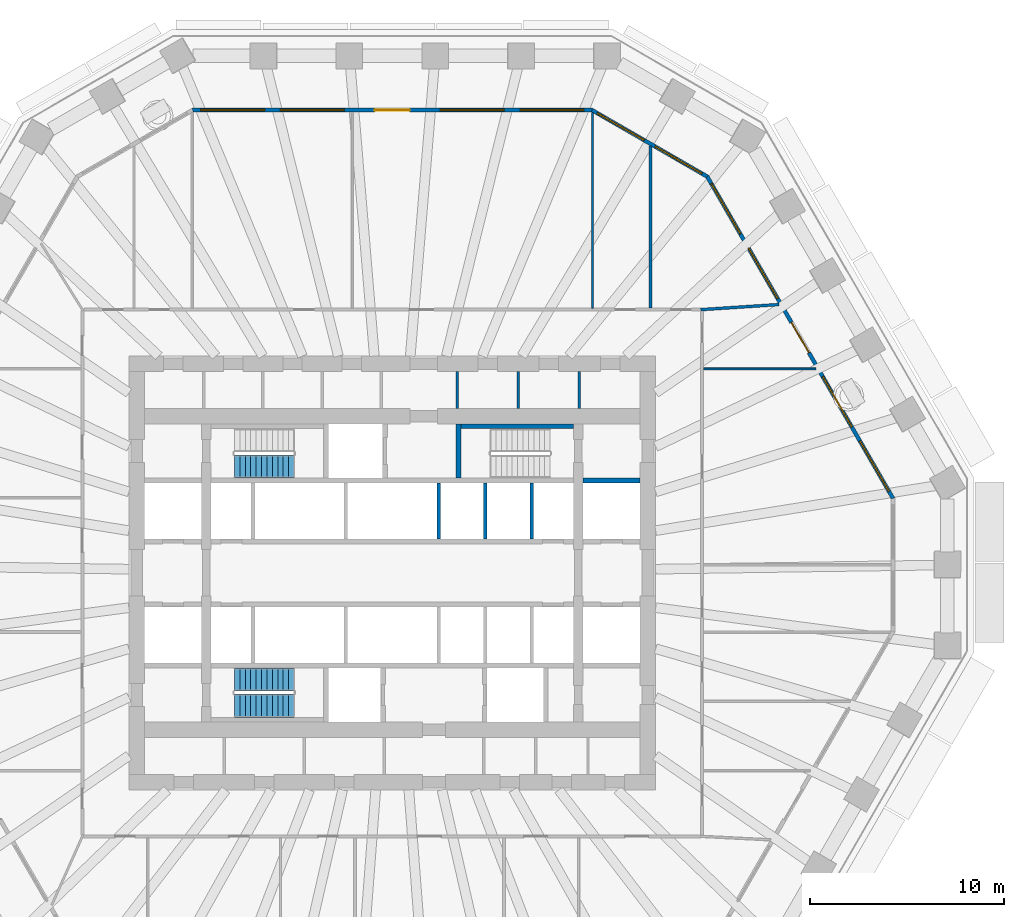
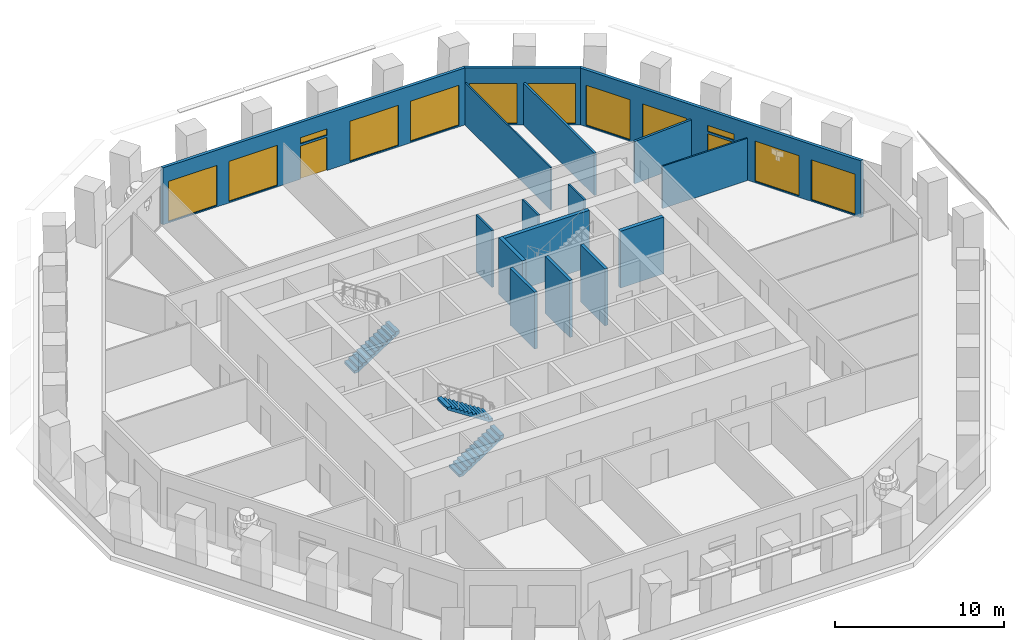
# One storey, part 8 of 13: 16 walls, 12 windows, 3 stair flights, 2 doors, 14 openings, 2 elements without a shape of their own.
"""IFC4 building model written with IfcOpenShell, lengths in metres."""

import ifcopenshell
import ifcopenshell.guid

model = None  # the IFC model being written
_history = None  # IfcOwnerHistory: only IFC2X3 demands one
_inside = {}  # id of a spatial element -> (the spatial element, [elements in it])
_under = {}  # id of a project, library or spatial element -> (it, [spatial elements below it])
_declared = {}  # id of a project -> (the project, [libraries it declares])
_typed = {}  # id of a type object -> (the type object, [elements of that type])
_made_of = {}  # id of a material, layer set ... -> (it, [elements and type objects made of it])


def new_model(schema):
    """Start an empty IFC model of exactly this schema.

    Asked for "IFC4X3", IfcOpenShell would pick the latest addendum, in which some entities
    have other attributes; the version numbers below select the first issue.
    IFC2X3 requires an IfcOwnerHistory on every rooted entity: one is made here for all.
    """
    global model, _history
    if schema == "IFC4X3":
        model = ifcopenshell.file(schema_version=(4, 3, 0, 0))
    else:
        model = ifcopenshell.file(schema=schema)
    _inside.clear()
    _under.clear()
    _declared.clear()
    _typed.clear()
    _made_of.clear()
    _history = None
    if model.schema == "IFC2X3":
        org = make("IfcOrganization", Name="unknown")
        user = make(
            "IfcPersonAndOrganization",
            ThePerson=make("IfcPerson", FamilyName="unknown"),
            TheOrganization=org,
        )
        app = make(
            "IfcApplication",
            ApplicationDeveloper=org,
            Version="unknown",
            ApplicationFullName="unknown",
            ApplicationIdentifier="unknown",
        )
        _history = make(
            "IfcOwnerHistory",
            OwningUser=user,
            OwningApplication=app,
            ChangeAction="ADDED",
            CreationDate=0,
        )
    return model


def make(cls, **values):
    """One entity of the class cls with the attributes given. An attribute that is None is left unset."""
    return model.create_entity(
        cls, **{name: value for name, value in values.items() if value is not None}
    )


def rooted(cls, **values):
    """An entity with a GlobalId (a new one), such as an element, a storey or a relation."""
    return make(cls, GlobalId=ifcopenshell.guid.new(), OwnerHistory=_history, **values)


def si_unit(unit_type, name, prefix=None):
    """IfcSIUnit, for example si_unit("LENGTHUNIT", "METRE", prefix="MILLI")."""
    return make("IfcSIUnit", UnitType=unit_type, Prefix=prefix, Name=name)


def assignment(units):
    """IfcUnitAssignment: the units of a project."""
    return None if units is None else make("IfcUnitAssignment", Units=units)


def point(xyz):
    """IfcCartesianPoint."""
    return None if xyz is None else make("IfcCartesianPoint", Coordinates=xyz)


def direction(xyz):
    """IfcDirection."""
    return None if xyz is None else make("IfcDirection", DirectionRatios=xyz)


def frame(location, z_axis=None, x_axis=None):
    """IfcAxis2Placement3D, a coordinate frame: its origin and axes. An axis left out is left unset."""
    return make(
        "IfcAxis2Placement3D",
        Location=point(location),
        Axis=direction(z_axis),
        RefDirection=direction(x_axis),
    )


def frame_2d(location, x_axis=None):
    """IfcAxis2Placement2D, a coordinate frame in the plane: its origin and x axis."""
    return make(
        "IfcAxis2Placement2D", Location=point(location), RefDirection=direction(x_axis)
    )


def origin():
    """The frame at (0, 0, 0) with its axes left unset."""
    return frame((0.0, 0.0, 0.0))


def place(relative_to, where):
    """IfcLocalPlacement: puts the frame where relative to a parent placement (None: the world)."""
    return make(
        "IfcLocalPlacement", PlacementRelTo=relative_to, RelativePlacement=where
    )


def context(
    kind, dimensions, precision=None, world=None, true_north=None, identifier=None
):
    """IfcGeometricRepresentationContext, for example the 3D "Model" context."""
    return make(
        "IfcGeometricRepresentationContext",
        ContextIdentifier=identifier,
        ContextType=kind,
        CoordinateSpaceDimension=dimensions,
        Precision=precision,
        WorldCoordinateSystem=world,
        TrueNorth=true_north,
    )


def subcontext(parent, identifier, kind, view, scale=None):
    """IfcGeometricRepresentationSubContext, for example "Body" below "Model"."""
    return make(
        "IfcGeometricRepresentationSubContext",
        ContextIdentifier=identifier,
        ContextType=kind,
        ParentContext=parent,
        TargetScale=scale,
        TargetView=view,
    )


def project(units=None, contexts=None):
    """IfcProject with its units and contexts."""
    return rooted(
        "IfcProject",
        Name="project",
        RepresentationContexts=contexts,
        UnitsInContext=assignment(units),
    )


def spatial(cls, under=None, at=None, **own):
    """A site, building, storey or space (cls), placed at a placement, below another one or the project."""
    s = rooted(cls, ObjectPlacement=at, **own)
    if under is not None:
        _under.setdefault(under.id(), (under, []))[1].append(s)
    return s


def polyline(points):
    """IfcPolyline through the points."""
    return make("IfcPolyline", Points=[point(p) for p in points])


def profile(cls, at=None, kind="AREA", **sizes):
    """A parametric profile (cls). Its sizes go by their IFC names, for example OverallWidth=200.0."""
    return make(cls, ProfileType=kind, Position=at, **sizes)


def rectangle(**sizes):
    """IfcRectangleProfileDef."""
    return profile("IfcRectangleProfileDef", **sizes)


def outline(outer, holes=None, kind="AREA"):
    """IfcArbitraryClosedProfileDef: a profile drawn as a closed curve; with holes, ...WithVoids."""
    if holes is None:
        return make("IfcArbitraryClosedProfileDef", ProfileType=kind, OuterCurve=outer)
    return make(
        "IfcArbitraryProfileDefWithVoids",
        ProfileType=kind,
        OuterCurve=outer,
        InnerCurves=holes,
    )


def extrude(swept, where, along, depth):
    """IfcExtrudedAreaSolid: the profile swept, set in the frame where, extruded along a direction by depth."""
    return make(
        "IfcExtrudedAreaSolid",
        SweptArea=swept,
        Position=where,
        ExtrudedDirection=direction(along),
        Depth=depth,
    )


def shape(context_of_items, identifier, shape_type, items):
    """IfcShapeRepresentation: the items that make up one representation, for example the "Body"."""
    return make(
        "IfcShapeRepresentation",
        ContextOfItems=context_of_items,
        RepresentationIdentifier=identifier,
        RepresentationType=shape_type,
        Items=items,
    )


def material(Name=None, Category=None):
    """IfcMaterial."""
    return make("IfcMaterial", Name=Name, Category=Category)


def layer(
    of_material, thickness, ventilated=None, Name=None, Category=None, Priority=None
):
    """IfcMaterialLayer: one layer of a wall or slab, of a material (None: an air gap)."""
    return make(
        "IfcMaterialLayer",
        Material=of_material,
        LayerThickness=thickness,
        IsVentilated=ventilated,
        Name=Name,
        Category=Category,
        Priority=Priority,
    )


def layer_set(layers, Name=None):
    """IfcMaterialLayerSet."""
    return make("IfcMaterialLayerSet", MaterialLayers=layers, LayerSetName=Name)


def made_of(thing, what):
    """Note that an element or type object is made of a material, layer set ...; save() writes the relation."""
    if what is not None:
        _made_of.setdefault(what.id(), (what, []))[1].append(thing)
    return thing


def type_object(cls, material=None, **own):
    """A type object (cls), such as IfcWallType, which elements share."""
    return made_of(rooted(cls, **own), material)


def element(
    cls,
    number,
    at=None,
    inside=None,
    cuts=None,
    type_object=None,
    material=None,
    context=None,
    identifier="Body",
    shape_type=None,
    held_by="IfcProductDefinitionShape",
    body=None,
    shapes=None,
    **own,
):
    """One element of the class cls, such as IfcWall. Its Tag is "e" and its number.

    at: its placement. inside: the storey or other place that contains it. cuts: it is an
    opening in that element (IfcRelVoidsElement). A single representation is given by context,
    identifier, shape_type and body (its items); several are given by shapes. held_by: the class
    of the entity that holds the representations. save() writes the other relations.
    """
    e = rooted(cls, Tag="e%d" % number, ObjectPlacement=at, **own)
    if body is not None:
        shapes = [shape(context, identifier, shape_type, body)]
    if shapes is not None:
        e.Representation = make(held_by, Representations=shapes)
    if inside is not None:
        _inside.setdefault(inside.id(), (inside, []))[1].append(e)
    if cuts is not None:
        rooted(
            "IfcRelVoidsElement", RelatingBuildingElement=cuts, RelatedOpeningElement=e
        )
    if type_object is not None:
        _typed.setdefault(type_object.id(), (type_object, []))[1].append(e)
    return made_of(e, material)


def fill(opening, filler):
    """IfcRelFillsElement: the door or window that sits in an opening."""
    return rooted(
        "IfcRelFillsElement",
        RelatingOpeningElement=opening,
        RelatedBuildingElement=filler,
    )


def aggregate(whole, parts):
    """IfcRelAggregates: a whole, such as a stair, and the parts it consists of."""
    return rooted("IfcRelAggregates", RelatingObject=whole, RelatedObjects=parts)


def save(model, path):
    """Write the relations noted so far, then the file.

    IfcRelAggregates (storeys below a building ...), IfcRelContainedInSpatialStructure (elements
    in a storey), IfcRelDefinesByType, IfcRelAssociatesMaterial and IfcRelDeclares: one each for
    every whole, place, type object, material and project.
    """
    for whole, parts in _under.values():
        aggregate(whole, parts)
    for where, things in _inside.values():
        rooted(
            "IfcRelContainedInSpatialStructure",
            RelatedElements=things,
            RelatingStructure=where,
        )
    for kind, things in _typed.values():
        rooted("IfcRelDefinesByType", RelatedObjects=things, RelatingType=kind)
    for what, things in _made_of.values():
        rooted("IfcRelAssociatesMaterial", RelatedObjects=things, RelatingMaterial=what)
    for by, libraries in _declared.values():
        rooted("IfcRelDeclares", RelatingContext=by, RelatedDefinitions=libraries)
    model.write(path)


model = new_model("IFC4")

# Units and contexts
model_context = context("Model", 3, precision=1e-05, world=origin(), true_north=direction((0.0, 1.0)))
body_context = subcontext(model_context, "Body", "Model", "MODEL_VIEW")
ifc_project = project(units=[si_unit("LENGTHUNIT", "METRE"), si_unit("AREAUNIT", "SQUARE_METRE"), si_unit("VOLUMEUNIT", "CUBIC_METRE"), si_unit("PLANEANGLEUNIT", "RADIAN"), si_unit("MASSUNIT", "GRAM", prefix="KILO")], contexts=[model_context])

# Site, building, storey
site_placement = place(None, origin())
site = spatial("IfcSite", under=ifc_project, at=site_placement, CompositionType="ELEMENT")
building_placement = place(site_placement, origin())
building = spatial("IfcBuilding", under=site, at=building_placement, Name="Frailejon Research Tower", CompositionType="ELEMENT")
storey_placement = place(building_placement, frame((0.0, 0.0, 94.0)))
storey = spatial("IfcBuildingStorey", under=building, at=storey_placement, Name="L20", CompositionType="ELEMENT", Elevation=94.0)

# Walls
ifc_material_1 = material(Name="Plasterboard on steel studs", Category="steel")
ifc_layer_1 = layer(ifc_material_1, 0.125)
ifc_layer_set_1 = layer_set([ifc_layer_1], Name="Core partition 125")
wall_type_1 = type_object("IfcWallType", Name="Core partition 125", PredefinedType="PARTITIONING", material=ifc_layer_set_1)
for number, where, z_axis, x_axis, name in (
    (1, (3.362548828125, 8.5, 0.0), (0.0, 0.0, 1.0), (0.0, 1.0, 0.0), "Core partition"),
    (2, (6.50830078125, 8.5, 0.0), (0.0, 0.0, 1.0), (0.0, 1.0, 0.0), "Core partition"),
    (3, (9.654296875, 8.5, 0.0), (0.0, 0.0, 1.0), (0.0, 1.0, 0.0), "Core partition"),
):
    element("IfcWall", number, at=place(storey_placement, frame(where, z_axis=z_axis, x_axis=x_axis)), inside=storey, type_object=wall_type_1, Name=name, PredefinedType="PARTITIONING", context=body_context, shape_type="SweptSolid", body=[
        extrude(rectangle(XDim=1.89990234375, YDim=0.125, at=frame_2d((0.949951171875, 0.0))), origin(), (0.0, 0.0, 1.0), 4.10009765625),
    ])
ifc_material_2 = material(Name="Gypsum board and masonry partition", Category="masonry")
ifc_layer_2 = layer(ifc_material_2, 0.14990234375)
ifc_layer_set_2 = layer_set([ifc_layer_2], Name="Laboratory partition, blockwork 150")
wall_type_2 = type_object("IfcWallType", Name="Laboratory partition, blockwork 150", PredefinedType="PARTITIONING", material=ifc_layer_set_2)
wall_1_placement = place(storey_placement, frame((15.92529296875, 13.59521484375, 0.0), z_axis=(0.0, 0.0, 1.0), x_axis=(0.997875073205, 0.065156260453, 0.0)))
element("IfcWall", 4, at=wall_1_placement, inside=storey, type_object=wall_type_2, Name="T:IW:L20:005", PredefinedType="PARTITIONING", context=body_context, shape_type="SweptSolid", body=[
    extrude(rectangle(XDim=4.04296875, YDim=0.14990234375, at=frame_2d((2.021484375, 0.0))), origin(), (0.0, 0.0, 1.0), 3.050048828125),
])
wall_2_placement = place(storey_placement, frame((13.33544921875, 13.675048828125, 0.0), z_axis=(0.0, 0.0, 1.0), x_axis=(0.0, 1.0, 0.0)))
element("IfcWall", 5, at=wall_2_placement, inside=storey, type_object=wall_type_2, Name="T:IW:L20:006", PredefinedType="PARTITIONING", context=body_context, shape_type="SweptSolid", body=[
    extrude(rectangle(XDim=8.362060546875, YDim=0.14990234375, at=frame_2d((4.18115234375, 0.0))), origin(), (0.0, 0.0, 1.0), 3.050048828125),
])
ifc_material_3 = material(Name="Gypsum board and masonry partition", Category="masonry")
ifc_layer_3 = layer(ifc_material_3, 0.10009765625)
ifc_layer_set_3 = layer_set([ifc_layer_3], Name="Partition, gypsum on steel studs 100")
wall_type_3 = type_object("IfcWallType", Name="Partition, gypsum on steel studs 100", PredefinedType="PARTITIONING", material=ifc_layer_set_3)
wall_3_placement = place(storey_placement, frame((16.074951171875, 10.541748046875, 0.0), z_axis=(0.0, 0.0, 1.0), x_axis=(1.0, 0.0, 0.0)))
element("IfcWall", 6, at=wall_3_placement, inside=storey, type_object=wall_type_3, Name="T:IW:L20:012", PredefinedType="PARTITIONING", context=body_context, shape_type="SweptSolid", body=[
    extrude(rectangle(XDim=5.799560546875, YDim=0.10009765625, at=frame_2d((2.89990234375, 0.0))), origin(), (0.0, 0.0, 1.0), 3.050048828125),
])
wall_4_placement = place(storey_placement, frame((10.33544921875, 13.675048828125, 0.0), z_axis=(0.0, 0.0, 1.0), x_axis=(0.0, 1.0, 0.0)))
element("IfcWall", 7, at=wall_4_placement, inside=storey, type_object=wall_type_3, Name="T:IW:L20:014", PredefinedType="PARTITIONING", context=body_context, shape_type="SweptSolid", body=[
    extrude(rectangle(XDim=10.093994140625, YDim=0.10009765625, at=frame_2d((5.046875, 0.0))), origin(), (0.0, 0.0, 1.0), 3.050048828125),
])
ifc_material_4 = material(Name="Concrete C70/85", Category="concrete")
ifc_layer_4 = layer(ifc_material_4, 0.199951171875)
ifc_layer_set_4 = layer_set([ifc_layer_4], Name="Shaft wall 200 C70/85")
wall_type_4 = type_object("IfcWallType", Name="Shaft wall 200 C70/85", PredefinedType="SOLIDWALL", material=ifc_layer_set_4)
for number, where, z_axis, x_axis, name in (
    (8, (2.39990234375, 1.75, 0.0), (0.0, 0.0, 1.0), (0.0, 1.0, 0.0), "Shaft wall"),
    (9, (4.800048828125, 1.75, 0.0), (0.0, 0.0, 1.0), (0.0, 1.0, 0.0), "Shaft wall"),
    (10, (7.199951171875, 1.75, 0.0), (0.0, 0.0, 1.0), (0.0, 1.0, 0.0), "Shaft wall"),
):
    element("IfcWall", number, at=place(storey_placement, frame(where, z_axis=z_axis, x_axis=x_axis)), inside=storey, type_object=wall_type_4, Name=name, PredefinedType="SOLIDWALL", context=body_context, shape_type="SweptSolid", body=[
        extrude(rectangle(XDim=2.89990234375, YDim=0.199951171875, at=frame_2d((1.449951171875, 0.0))), origin(), (0.0, 0.0, 1.0), 4.10009765625),
    ])
ifc_material_5 = material(Name="Concrete C70/85", Category="concrete")
ifc_layer_5 = layer(ifc_material_5, 0.25)
ifc_layer_set_5 = layer_set([ifc_layer_5], Name="Shaft wall 250 C70/85")
wall_type_5 = type_object("IfcWallType", Name="Shaft wall 250 C70/85", PredefinedType="SOLIDWALL", material=ifc_layer_set_5)
wall_5_placement = place(storey_placement, frame((9.85009765625, 4.77490234375, 0.0), z_axis=(0.0, 0.0, 1.0), x_axis=(1.0, 0.0, 0.0)))
element("IfcWall", 11, at=wall_5_placement, inside=storey, type_object=wall_type_5, Name="Shaft wall", PredefinedType="SOLIDWALL", context=body_context, shape_type="SweptSolid", body=[
    extrude(rectangle(XDim=2.949951171875, YDim=0.25, at=frame_2d((1.47509765625, 0.0))), origin(), (0.0, 0.0, 1.0), 4.10009765625),
])
wall_6_placement = place(storey_placement, frame((3.550048828125, 7.574951171875, 0.0), z_axis=(0.0, 0.0, 1.0), x_axis=(1.0, 0.0, 0.0)))
element("IfcWall", 12, at=wall_6_placement, inside=storey, type_object=wall_type_5, Name="Shaft wall", PredefinedType="SOLIDWALL", context=body_context, shape_type="SweptSolid", body=[
    extrude(rectangle(XDim=5.800048828125, YDim=0.25, at=frame_2d((2.89990234375, 0.0))), origin(), (0.0, 0.0, 1.0), 4.10009765625),
])
wall_7_placement = place(storey_placement, frame((3.425048828125, 4.89990234375, 0.0), z_axis=(0.0, 0.0, 1.0), x_axis=(0.0, 1.0, 0.0)))
element("IfcWall", 13, at=wall_7_placement, inside=storey, type_object=wall_type_5, Name="Shaft wall", PredefinedType="SOLIDWALL", context=body_context, shape_type="SweptSolid", body=[
    extrude(rectangle(XDim=2.800048828125, YDim=0.25, at=frame_2d((1.39990234375, 0.0))), origin(), (0.0, 0.0, 1.0), 4.10009765625),
])

# Wall, openings, door, windows
ifc_material_6 = material(Name="Concrete C40/50 precast window wall panel", Category="concrete")
ifc_layer_6 = layer(ifc_material_6, 0.199951171875)
ifc_layer_set_6 = layer_set([ifc_layer_6], Name="Window wall 200")
wall_type_6 = type_object("IfcWallType", Name="Window wall 200", PredefinedType="SOLIDWALL", material=ifc_layer_set_6)
wall_8_placement = place(storey_placement, frame((25.852294921875, 3.85205078125, 0.0), z_axis=(0.0, 0.0, 1.0), x_axis=(-0.499998279088, 0.866026397351, 0.0)))
wall_8 = element("IfcWall", 14, at=wall_8_placement, inside=storey, type_object=wall_type_6, Name="Exterior wall L20", PredefinedType="SOLIDWALL", context=body_context, shape_type="SweptSolid", body=[
    extrude(outline(polyline([(-0.02685546875, -0.10009765625), (0.9853515625, -0.10009765625), (1.997802734375, -0.10009765625), (3.010009765625, -0.10009765625), (4.0224609375, -0.10009765625), (5.03466796875, -0.10009765625), (6.047119140625, -0.10009765625), (7.059326171875, -0.10009765625), (8.071533203125, -0.10009765625), (9.083984375, -0.10009765625), (10.09619140625, -0.10009765625), (11.108642578125, -0.10009765625), (12.120849609375, -0.10009765625), (13.133056640625, -0.10009765625), (14.1455078125, -0.10009765625), (15.15771484375, -0.10009765625), (16.170166015625, -0.10009765625), (17.182373046875, -0.10009765625), (18.19482421875, -0.10009765625), (19.20703125, -0.10009765625), (19.1533203125, 0.10009765625), (18.146728515625, 0.10009765625), (17.139892578125, 0.10009765625), (16.13330078125, 0.10009765625), (15.126708984375, 0.10009765625), (14.1201171875, 0.10009765625), (13.11328125, 0.10009765625), (12.106689453125, 0.10009765625), (11.10009765625, 0.10009765625), (10.093505859375, 0.10009765625), (9.086669921875, 0.10009765625), (8.080078125, 0.10009765625), (7.073486328125, 0.10009765625), (6.06689453125, 0.10009765625), (5.06005859375, 0.10009765625), (4.053466796875, 0.10009765625), (3.046875, 0.10009765625), (2.040283203125, 0.10009765625), (1.033447265625, 0.10009765625), (0.02685546875, 0.10009765625), (-0.02685546875, -0.10009765625)])), origin(), (0.0, 0.0, 1.0), 4.10009765625),
])
opening_1_placement = place(wall_8_placement, frame((0.41796875, 0.0, 0.10009765625)))
opening_1 = element("IfcOpeningElement", 15, at=opening_1_placement, cuts=wall_8, Name="Opening W4", PredefinedType="OPENING", context=body_context, shape_type="SweptSolid", body=[
    extrude(rectangle(XDim=3.0, YDim=2.89990234375, at=frame_2d((1.5, 1.449951171875))), frame((0.0, 0.10986328125, 0.0), z_axis=(0.0, -1.0, 0.0), x_axis=(1.0, 0.0, 0.0)), (0.0, 0.0, 1.0), 0.219970703125),
])
opening_2_placement = place(wall_8_placement, frame((4.254150390625, 0.0, 0.10009765625)))
opening_2 = element("IfcOpeningElement", 16, at=opening_2_placement, cuts=wall_8, Name="Opening W4", PredefinedType="OPENING", context=body_context, shape_type="SweptSolid", body=[
    extrude(rectangle(XDim=3.0, YDim=2.89990234375, at=frame_2d((1.5, 1.449951171875))), frame((0.0, 0.10986328125, 0.0), z_axis=(0.0, -1.0, 0.0), x_axis=(1.0, 0.0, 0.0)), (0.0, 0.0, 1.0), 0.219970703125),
])
opening_3_placement = place(wall_8_placement, frame((8.690185546875, 0.0, 0.0)))
opening_3 = element("IfcOpeningElement", 17, at=opening_3_placement, cuts=wall_8, Name="Opening LG20-1", PredefinedType="OPENING", context=body_context, shape_type="SweptSolid", body=[
    extrude(rectangle(XDim=1.800048828125, YDim=2.39990234375, at=frame_2d((0.89990234375, 1.199951171875))), frame((0.0, 0.10986328125, 0.0), z_axis=(0.0, -1.0, 0.0), x_axis=(1.0, 0.0, 0.0)), (0.0, 0.0, 1.0), 0.219970703125),
])
opening_4_placement = place(wall_8_placement, frame((8.690185546875, 0.0, 2.550048828125)))
opening_4 = element("IfcOpeningElement", 18, at=opening_4_placement, cuts=wall_8, Name="Opening W1", PredefinedType="OPENING", context=body_context, shape_type="SweptSolid", body=[
    extrude(rectangle(XDim=1.800048828125, YDim=0.449951171875, at=frame_2d((0.89990234375, 0.22509765625))), frame((0.0, 0.10986328125, 0.0), z_axis=(0.0, -1.0, 0.0), x_axis=(1.0, 0.0, 0.0)), (0.0, 0.0, 1.0), 0.219970703125),
])
opening_5_placement = place(wall_8_placement, frame((11.92626953125, 0.0, 0.10009765625)))
opening_5 = element("IfcOpeningElement", 19, at=opening_5_placement, cuts=wall_8, Name="Opening W4", PredefinedType="OPENING", context=body_context, shape_type="SweptSolid", body=[
    extrude(rectangle(XDim=3.0, YDim=2.89990234375, at=frame_2d((1.5, 1.449951171875))), frame((0.0, 0.10986328125, 0.0), z_axis=(0.0, -1.0, 0.0), x_axis=(1.0, 0.0, 0.0)), (0.0, 0.0, 1.0), 0.219970703125),
])
opening_6_placement = place(wall_8_placement, frame((15.76220703125, 0.0, 0.10009765625)))
opening_6 = element("IfcOpeningElement", 20, at=opening_6_placement, cuts=wall_8, Name="Opening W4", PredefinedType="OPENING", context=body_context, shape_type="SweptSolid", body=[
    extrude(rectangle(XDim=3.0, YDim=2.89990234375, at=frame_2d((1.5, 1.449951171875))), frame((0.0, 0.10986328125, 0.0), z_axis=(0.0, -1.0, 0.0), x_axis=(1.0, 0.0, 0.0)), (0.0, 0.0, 1.0), 0.219970703125),
])
ifc_material_7 = material(Name="Aluminium framed glazed door leaf", Category="aluminium")
door_type = type_object("IfcDoorType", Name="Loggia door 1800x2400", OperationType="DOUBLE_DOOR_SINGLE_SWING", PredefinedType="DOOR", material=ifc_material_7)
door_1_placement = place(opening_3_placement, origin())
door_1 = element("IfcDoor", 21, at=door_1_placement, inside=storey, type_object=door_type, Name="Door LG20-1", OperationType="DOUBLE_DOOR_SINGLE_SWING", OverallHeight=2.39990234375, OverallWidth=1.800048828125, PredefinedType="DOOR", context=body_context, shape_type="SweptSolid", body=[
    extrude(rectangle(XDim=1.800048828125, YDim=2.39990234375, at=frame_2d((0.89990234375, 1.199951171875))), frame((0.0, 0.02490234375, 0.0), z_axis=(0.0, -1.0, 0.0), x_axis=(1.0, 0.0, 0.0)), (0.0, 0.0, 1.0), 0.050048828125),
])
fill(opening_3, door_1)
ifc_material_8 = material(Name="Aluminium framed double glazing", Category="aluminium")
window_type_1 = type_object("IfcWindowType", Name="Window 1800x450", PartitioningType="SINGLE_PANEL", PredefinedType="WINDOW", material=ifc_material_8)
window_1_placement = place(opening_4_placement, origin())
window_1 = element("IfcWindow", 22, at=window_1_placement, inside=storey, type_object=window_type_1, Name="Window L20", OverallHeight=0.449951171875, OverallWidth=1.800048828125, PartitioningType="SINGLE_PANEL", PredefinedType="WINDOW", context=body_context, shape_type="SweptSolid", body=[
    extrude(rectangle(XDim=1.800048828125, YDim=0.449951171875, at=frame_2d((0.89990234375, 0.22509765625))), frame((0.0, 0.030029296875, 0.0), z_axis=(0.0, -1.0, 0.0), x_axis=(1.0, 0.0, 0.0)), (0.0, 0.0, 1.0), 0.06005859375),
])
fill(opening_4, window_1)
ifc_material_9 = material(Name="Aluminium framed double glazing", Category="aluminium")
window_type_2 = type_object("IfcWindowType", Name="Window 3000x2900", PartitioningType="SINGLE_PANEL", PredefinedType="WINDOW", material=ifc_material_9)
window_2_placement = place(opening_1_placement, origin())
window_2 = element("IfcWindow", 23, at=window_2_placement, inside=storey, type_object=window_type_2, Name="Window L20", OverallHeight=2.89990234375, OverallWidth=3.0, PartitioningType="SINGLE_PANEL", PredefinedType="WINDOW", context=body_context, shape_type="SweptSolid", body=[
    extrude(rectangle(XDim=3.0, YDim=2.89990234375, at=frame_2d((1.5, 1.449951171875))), frame((0.0, 0.030029296875, 0.0), z_axis=(0.0, -1.0, 0.0), x_axis=(1.0, 0.0, 0.0)), (0.0, 0.0, 1.0), 0.06005859375),
])
fill(opening_1, window_2)
window_3_placement = place(opening_2_placement, origin())
window_3 = element("IfcWindow", 24, at=window_3_placement, inside=storey, type_object=window_type_2, Name="Window L20", OverallHeight=2.89990234375, OverallWidth=3.0, PartitioningType="SINGLE_PANEL", PredefinedType="WINDOW", context=body_context, shape_type="SweptSolid", body=[
    extrude(rectangle(XDim=3.0, YDim=2.89990234375, at=frame_2d((1.5, 1.449951171875))), frame((0.0, 0.030029296875, 0.0), z_axis=(0.0, -1.0, 0.0), x_axis=(1.0, 0.0, 0.0)), (0.0, 0.0, 1.0), 0.06005859375),
])
fill(opening_2, window_3)
window_4_placement = place(opening_5_placement, origin())
window_4 = element("IfcWindow", 25, at=window_4_placement, inside=storey, type_object=window_type_2, Name="Window L20", OverallHeight=2.89990234375, OverallWidth=3.0, PartitioningType="SINGLE_PANEL", PredefinedType="WINDOW", context=body_context, shape_type="SweptSolid", body=[
    extrude(rectangle(XDim=3.0, YDim=2.89990234375, at=frame_2d((1.5, 1.449951171875))), frame((0.0, 0.030029296875, 0.0), z_axis=(0.0, -1.0, 0.0), x_axis=(1.0, 0.0, 0.0)), (0.0, 0.0, 1.0), 0.06005859375),
])
fill(opening_5, window_4)
window_5_placement = place(opening_6_placement, origin())
window_5 = element("IfcWindow", 26, at=window_5_placement, inside=storey, type_object=window_type_2, Name="Window L20", OverallHeight=2.89990234375, OverallWidth=3.0, PartitioningType="SINGLE_PANEL", PredefinedType="WINDOW", context=body_context, shape_type="SweptSolid", body=[
    extrude(rectangle(XDim=3.0, YDim=2.89990234375, at=frame_2d((1.5, 1.449951171875))), frame((0.0, 0.030029296875, 0.0), z_axis=(0.0, -1.0, 0.0), x_axis=(1.0, 0.0, 0.0)), (0.0, 0.0, 1.0), 0.06005859375),
])
fill(opening_6, window_5)

# Wall, openings, windows
wall_9_placement = place(storey_placement, frame((16.26220703125, 20.462646484375, 0.0), z_axis=(0.0, 0.0, 1.0), x_axis=(-0.866029458321, 0.49999297727, 0.0)))
wall_9 = element("IfcWall", 27, at=wall_9_placement, inside=storey, type_object=wall_type_6, Name="Exterior wall L20", PredefinedType="SOLIDWALL", context=body_context, shape_type="SweptSolid", body=[
    extrude(outline(polyline([(-0.02685546875, -0.10009765625), (1.1279296875, -0.10009765625), (2.282470703125, -0.10009765625), (3.437255859375, -0.10009765625), (4.592041015625, -0.10009765625), (5.74658203125, -0.10009765625), (6.9013671875, -0.10009765625), (6.84765625, 0.10009765625), (5.7109375, 0.10009765625), (4.573974609375, 0.10009765625), (3.437255859375, 0.10009765625), (2.300537109375, 0.10009765625), (1.16357421875, 0.10009765625), (0.02685546875, 0.10009765625), (-0.02685546875, -0.10009765625)])), origin(), (0.0, 0.0, 1.0), 4.10009765625),
])
opening_7_placement = place(wall_9_placement, frame((0.318603515625, 0.0, 0.10009765625)))
opening_7 = element("IfcOpeningElement", 28, at=opening_7_placement, cuts=wall_9, Name="Opening W3", PredefinedType="OPENING", context=body_context, shape_type="SweptSolid", body=[
    extrude(rectangle(XDim=2.800048828125, YDim=2.89990234375, at=frame_2d((1.39990234375, 1.449951171875))), frame((0.0, 0.10986328125, 0.0), z_axis=(0.0, -1.0, 0.0), x_axis=(1.0, 0.0, 0.0)), (0.0, 0.0, 1.0), 0.219970703125),
])
opening_8_placement = place(wall_9_placement, frame((3.756103515625, 0.0, 0.10009765625)))
opening_8 = element("IfcOpeningElement", 29, at=opening_8_placement, cuts=wall_9, Name="Opening W3", PredefinedType="OPENING", context=body_context, shape_type="SweptSolid", body=[
    extrude(rectangle(XDim=2.800048828125, YDim=2.89990234375, at=frame_2d((1.39990234375, 1.449951171875))), frame((0.0, 0.10986328125, 0.0), z_axis=(0.0, -1.0, 0.0), x_axis=(1.0, 0.0, 0.0)), (0.0, 0.0, 1.0), 0.219970703125),
])
ifc_material_10 = material(Name="Aluminium framed double glazing", Category="aluminium")
window_type_3 = type_object("IfcWindowType", Name="Window 2800x2900", PartitioningType="SINGLE_PANEL", PredefinedType="WINDOW", material=ifc_material_10)
window_6_placement = place(opening_7_placement, origin())
window_6 = element("IfcWindow", 30, at=window_6_placement, inside=storey, type_object=window_type_3, Name="Window L20", OverallHeight=2.89990234375, OverallWidth=2.800048828125, PartitioningType="SINGLE_PANEL", PredefinedType="WINDOW", context=body_context, shape_type="SweptSolid", body=[
    extrude(rectangle(XDim=2.800048828125, YDim=2.89990234375, at=frame_2d((1.39990234375, 1.449951171875))), frame((0.0, 0.030029296875, 0.0), z_axis=(0.0, -1.0, 0.0), x_axis=(1.0, 0.0, 0.0)), (0.0, 0.0, 1.0), 0.06005859375),
])
fill(opening_7, window_6)
window_7_placement = place(opening_8_placement, origin())
window_7 = element("IfcWindow", 31, at=window_7_placement, inside=storey, type_object=window_type_3, Name="Window L20", OverallHeight=2.89990234375, OverallWidth=2.800048828125, PartitioningType="SINGLE_PANEL", PredefinedType="WINDOW", context=body_context, shape_type="SweptSolid", body=[
    extrude(rectangle(XDim=2.800048828125, YDim=2.89990234375, at=frame_2d((1.39990234375, 1.449951171875))), frame((0.0, 0.030029296875, 0.0), z_axis=(0.0, -1.0, 0.0), x_axis=(1.0, 0.0, 0.0)), (0.0, 0.0, 1.0), 0.06005859375),
])
fill(opening_8, window_7)

# Wall, openings, door, windows
wall_10_placement = place(storey_placement, frame((10.30859375, 23.89990234375, 0.0), z_axis=(0.0, 0.0, 1.0), x_axis=(-1.0, 0.0, 0.0)))
wall_10 = element("IfcWall", 32, at=wall_10_placement, inside=storey, type_object=wall_type_6, Name="Exterior wall L20", PredefinedType="SOLIDWALL", context=body_context, shape_type="SweptSolid", body=[
    extrude(outline(polyline([(-0.02685546875, -0.10009765625), (1.006591796875, -0.10009765625), (2.040283203125, -0.10009765625), (3.07373046875, -0.10009765625), (4.107421875, -0.10009765625), (5.140869140625, -0.10009765625), (6.17431640625, -0.10009765625), (7.2080078125, -0.10009765625), (8.241455078125, -0.10009765625), (9.275146484375, -0.10009765625), (10.30859375, -0.10009765625), (11.342041015625, -0.10009765625), (12.375732421875, -0.10009765625), (13.4091796875, -0.10009765625), (14.44287109375, -0.10009765625), (15.476318359375, -0.10009765625), (16.509765625, -0.10009765625), (17.54345703125, -0.10009765625), (18.576904296875, -0.10009765625), (19.610595703125, -0.10009765625), (20.64404296875, -0.10009765625), (20.59033203125, 0.10009765625), (19.562255859375, 0.10009765625), (18.533935546875, 0.10009765625), (17.505859375, 0.10009765625), (16.4775390625, 0.10009765625), (15.449462890625, 0.10009765625), (14.42138671875, 0.10009765625), (13.39306640625, 0.10009765625), (12.364990234375, 0.10009765625), (11.336669921875, 0.10009765625), (10.30859375, 0.10009765625), (9.280517578125, 0.10009765625), (8.252197265625, 0.10009765625), (7.22412109375, 0.10009765625), (6.19580078125, 0.10009765625), (5.167724609375, 0.10009765625), (4.1396484375, 0.10009765625), (3.111328125, 0.10009765625), (2.083251953125, 0.10009765625), (1.054931640625, 0.10009765625), (0.02685546875, 0.10009765625), (-0.02685546875, -0.10009765625)])), origin(), (0.0, 0.0, 1.0), 4.10009765625),
])
opening_9_placement = place(wall_10_placement, frame((0.41162109375, 0.0, 0.10009765625)))
opening_9 = element("IfcOpeningElement", 33, at=opening_9_placement, cuts=wall_10, Name="Opening W5", PredefinedType="OPENING", context=body_context, shape_type="SweptSolid", body=[
    extrude(rectangle(XDim=3.300048828125, YDim=2.89990234375, at=frame_2d((1.64990234375, 1.449951171875))), frame((0.0, 0.10986328125, 0.0), z_axis=(0.0, -1.0, 0.0), x_axis=(1.0, 0.0, 0.0)), (0.0, 0.0, 1.0), 0.219970703125),
])
opening_10_placement = place(wall_10_placement, frame((4.53515625, 0.0, 0.10009765625)))
opening_10 = element("IfcOpeningElement", 34, at=opening_10_placement, cuts=wall_10, Name="Opening W5", PredefinedType="OPENING", context=body_context, shape_type="SweptSolid", body=[
    extrude(rectangle(XDim=3.300048828125, YDim=2.89990234375, at=frame_2d((1.64990234375, 1.449951171875))), frame((0.0, 0.10986328125, 0.0), z_axis=(0.0, -1.0, 0.0), x_axis=(1.0, 0.0, 0.0)), (0.0, 0.0, 1.0), 0.219970703125),
])
opening_11_placement = place(wall_10_placement, frame((9.40869140625, 0.0, 0.0)))
opening_11 = element("IfcOpeningElement", 35, at=opening_11_placement, cuts=wall_10, Name="Opening LG20-2", PredefinedType="OPENING", context=body_context, shape_type="SweptSolid", body=[
    extrude(rectangle(XDim=1.800048828125, YDim=2.39990234375, at=frame_2d((0.89990234375, 1.199951171875))), frame((0.0, 0.10986328125, 0.0), z_axis=(0.0, -1.0, 0.0), x_axis=(1.0, 0.0, 0.0)), (0.0, 0.0, 1.0), 0.219970703125),
])
opening_12_placement = place(wall_10_placement, frame((9.40869140625, 0.0, 2.550048828125)))
opening_12 = element("IfcOpeningElement", 36, at=opening_12_placement, cuts=wall_10, Name="Opening W1", PredefinedType="OPENING", context=body_context, shape_type="SweptSolid", body=[
    extrude(rectangle(XDim=1.800048828125, YDim=0.449951171875, at=frame_2d((0.89990234375, 0.22509765625))), frame((0.0, 0.10986328125, 0.0), z_axis=(0.0, -1.0, 0.0), x_axis=(1.0, 0.0, 0.0)), (0.0, 0.0, 1.0), 0.219970703125),
])
opening_13_placement = place(wall_10_placement, frame((12.781982421875, 0.0, 0.10009765625)))
opening_13 = element("IfcOpeningElement", 37, at=opening_13_placement, cuts=wall_10, Name="Opening W5", PredefinedType="OPENING", context=body_context, shape_type="SweptSolid", body=[
    extrude(rectangle(XDim=3.300048828125, YDim=2.89990234375, at=frame_2d((1.64990234375, 1.449951171875))), frame((0.0, 0.10986328125, 0.0), z_axis=(0.0, -1.0, 0.0), x_axis=(1.0, 0.0, 0.0)), (0.0, 0.0, 1.0), 0.219970703125),
])
opening_14_placement = place(wall_10_placement, frame((16.905517578125, 0.0, 0.10009765625)))
opening_14 = element("IfcOpeningElement", 38, at=opening_14_placement, cuts=wall_10, Name="Opening W5", PredefinedType="OPENING", context=body_context, shape_type="SweptSolid", body=[
    extrude(rectangle(XDim=3.300048828125, YDim=2.89990234375, at=frame_2d((1.64990234375, 1.449951171875))), frame((0.0, 0.10986328125, 0.0), z_axis=(0.0, -1.0, 0.0), x_axis=(1.0, 0.0, 0.0)), (0.0, 0.0, 1.0), 0.219970703125),
])
door_2_placement = place(opening_11_placement, origin())
door_2 = element("IfcDoor", 39, at=door_2_placement, inside=storey, type_object=door_type, Name="Door LG20-2", OperationType="DOUBLE_DOOR_SINGLE_SWING", OverallHeight=2.39990234375, OverallWidth=1.800048828125, PredefinedType="DOOR", context=body_context, shape_type="SweptSolid", body=[
    extrude(rectangle(XDim=1.800048828125, YDim=2.39990234375, at=frame_2d((0.89990234375, 1.199951171875))), frame((0.0, 0.02490234375, 0.0), z_axis=(0.0, -1.0, 0.0), x_axis=(1.0, 0.0, 0.0)), (0.0, 0.0, 1.0), 0.050048828125),
])
fill(opening_11, door_2)
window_8_placement = place(opening_12_placement, origin())
window_8 = element("IfcWindow", 40, at=window_8_placement, inside=storey, type_object=window_type_1, Name="Window L20", OverallHeight=0.449951171875, OverallWidth=1.800048828125, PartitioningType="SINGLE_PANEL", PredefinedType="WINDOW", context=body_context, shape_type="SweptSolid", body=[
    extrude(rectangle(XDim=1.800048828125, YDim=0.449951171875, at=frame_2d((0.89990234375, 0.22509765625))), frame((0.0, 0.030029296875, 0.0), z_axis=(0.0, -1.0, 0.0), x_axis=(1.0, 0.0, 0.0)), (0.0, 0.0, 1.0), 0.06005859375),
])
fill(opening_12, window_8)
ifc_material_11 = material(Name="Aluminium framed double glazing", Category="aluminium")
window_type_4 = type_object("IfcWindowType", Name="Window 3300x2900", PartitioningType="SINGLE_PANEL", PredefinedType="WINDOW", material=ifc_material_11)
window_9_placement = place(opening_9_placement, origin())
window_9 = element("IfcWindow", 41, at=window_9_placement, inside=storey, type_object=window_type_4, Name="Window L20", OverallHeight=2.89990234375, OverallWidth=3.300048828125, PartitioningType="SINGLE_PANEL", PredefinedType="WINDOW", context=body_context, shape_type="SweptSolid", body=[
    extrude(rectangle(XDim=3.300048828125, YDim=2.89990234375, at=frame_2d((1.64990234375, 1.449951171875))), frame((0.0, 0.030029296875, 0.0), z_axis=(0.0, -1.0, 0.0), x_axis=(1.0, 0.0, 0.0)), (0.0, 0.0, 1.0), 0.06005859375),
])
fill(opening_9, window_9)
window_10_placement = place(opening_10_placement, origin())
window_10 = element("IfcWindow", 42, at=window_10_placement, inside=storey, type_object=window_type_4, Name="Window L20", OverallHeight=2.89990234375, OverallWidth=3.300048828125, PartitioningType="SINGLE_PANEL", PredefinedType="WINDOW", context=body_context, shape_type="SweptSolid", body=[
    extrude(rectangle(XDim=3.300048828125, YDim=2.89990234375, at=frame_2d((1.64990234375, 1.449951171875))), frame((0.0, 0.030029296875, 0.0), z_axis=(0.0, -1.0, 0.0), x_axis=(1.0, 0.0, 0.0)), (0.0, 0.0, 1.0), 0.06005859375),
])
fill(opening_10, window_10)
window_11_placement = place(opening_13_placement, origin())
window_11 = element("IfcWindow", 43, at=window_11_placement, inside=storey, type_object=window_type_4, Name="Window L20", OverallHeight=2.89990234375, OverallWidth=3.300048828125, PartitioningType="SINGLE_PANEL", PredefinedType="WINDOW", context=body_context, shape_type="SweptSolid", body=[
    extrude(rectangle(XDim=3.300048828125, YDim=2.89990234375, at=frame_2d((1.64990234375, 1.449951171875))), frame((0.0, 0.030029296875, 0.0), z_axis=(0.0, -1.0, 0.0), x_axis=(1.0, 0.0, 0.0)), (0.0, 0.0, 1.0), 0.06005859375),
])
fill(opening_13, window_11)
window_12_placement = place(opening_14_placement, origin())
window_12 = element("IfcWindow", 44, at=window_12_placement, inside=storey, type_object=window_type_4, Name="Window L20", OverallHeight=2.89990234375, OverallWidth=3.300048828125, PartitioningType="SINGLE_PANEL", PredefinedType="WINDOW", context=body_context, shape_type="SweptSolid", body=[
    extrude(rectangle(XDim=3.300048828125, YDim=2.89990234375, at=frame_2d((1.64990234375, 1.449951171875))), frame((0.0, 0.030029296875, 0.0), z_axis=(0.0, -1.0, 0.0), x_axis=(1.0, 0.0, 0.0)), (0.0, 0.0, 1.0), 0.06005859375),
])
fill(opening_14, window_12)

# Stair, stair flight
ifc_material_12 = material(Name="Concrete C50/60", Category="concrete")
stair_type = type_object("IfcStairType", Name="Exit stair 24 risers", PredefinedType="HALF_TURN_STAIR", material=ifc_material_12)
stair_1_placement = place(storey_placement, origin())
stair_1 = element("IfcStair", 45, at=stair_1_placement, inside=storey, type_object=stair_type, Name="L20 Exit stair ST1", PredefinedType="HALF_TURN_STAIR")
ifc_material_13 = material(Name="Concrete C50/60", Category="concrete")
ifc_layer_7 = layer(ifc_material_13, 0.14990234375)
ifc_layer_set_7 = layer_set([ifc_layer_7], Name="Stair flight 12 risers")
stair_flight_type = type_object("IfcStairFlightType", Name="Stair flight 12 risers", PredefinedType="STRAIGHT", material=ifc_layer_set_7)
stair_flight_1_placement = place(storey_placement, frame((-8.14990234375, 5.5, 0.0), z_axis=(0.0, 0.0, 1.0), x_axis=(1.0, 0.0, 0.0)))
stair_flight_1 = element("IfcStairFlight", 46, at=stair_flight_1_placement, type_object=stair_flight_type, Name="ST1 flight 1", NumberOfRisers=12, NumberOfTreads=11, PredefinedType="STRAIGHT", RiserHeight=0.183333333, TreadLength=0.28, context=body_context, shape_type="SweptSolid", body=[
    extrude(outline(polyline([(0.0, 0.0), (0.0, 0.183349609375), (0.280029296875, 0.183349609375), (0.280029296875, 0.36669921875), (0.56005859375, 0.36669921875), (0.56005859375, 0.550048828125), (0.840087890625, 0.550048828125), (0.840087890625, 0.7333984375), (1.1201171875, 0.7333984375), (1.1201171875, 0.916748046875), (1.39990234375, 0.916748046875), (1.39990234375, 1.10009765625), (1.679931640625, 1.10009765625), (1.679931640625, 1.283447265625), (1.9599609375, 1.283447265625), (1.9599609375, 1.466552734375), (2.239990234375, 1.466552734375), (2.239990234375, 1.64990234375), (2.52001953125, 1.64990234375), (2.52001953125, 1.833251953125), (2.800048828125, 1.833251953125), (2.800048828125, 2.0166015625), (3.080078125, 2.0166015625), (3.080078125, 2.199951171875), (3.080078125, 1.83740234375), (0.273681640625, 0.0), (0.0, 0.0)])), frame((0.0, 0.60009765625, 0.0), z_axis=(0.0, -1.0, 0.0), x_axis=(1.0, 0.0, 0.0)), (0.0, 0.0, 1.0), 1.199951171875),
])
aggregate(stair_1, [stair_flight_1])

# Stair, stair flights
stair_2_placement = place(storey_placement, origin())
stair_2 = element("IfcStair", 47, at=stair_2_placement, inside=storey, type_object=stair_type, Name="L20 Exit stair ST2", PredefinedType="HALF_TURN_STAIR")
stair_flight_2_placement = place(storey_placement, frame((-8.14990234375, -6.85009765625, 0.0), z_axis=(0.0, 0.0, 1.0), x_axis=(1.0, 0.0, 0.0)))
stair_flight_2 = element("IfcStairFlight", 48, at=stair_flight_2_placement, type_object=stair_flight_type, Name="ST2 flight 1", NumberOfRisers=12, NumberOfTreads=11, PredefinedType="STRAIGHT", RiserHeight=0.183333333, TreadLength=0.28, context=body_context, shape_type="SweptSolid", body=[
    extrude(outline(polyline([(0.0, 0.0), (0.0, 0.183349609375), (0.280029296875, 0.183349609375), (0.280029296875, 0.36669921875), (0.56005859375, 0.36669921875), (0.56005859375, 0.550048828125), (0.840087890625, 0.550048828125), (0.840087890625, 0.7333984375), (1.1201171875, 0.7333984375), (1.1201171875, 0.916748046875), (1.39990234375, 0.916748046875), (1.39990234375, 1.10009765625), (1.679931640625, 1.10009765625), (1.679931640625, 1.283447265625), (1.9599609375, 1.283447265625), (1.9599609375, 1.466552734375), (2.239990234375, 1.466552734375), (2.239990234375, 1.64990234375), (2.52001953125, 1.64990234375), (2.52001953125, 1.833251953125), (2.800048828125, 1.833251953125), (2.800048828125, 2.0166015625), (3.080078125, 2.0166015625), (3.080078125, 2.199951171875), (3.080078125, 1.83740234375), (0.273681640625, 0.0), (0.0, 0.0)])), frame((0.0, 0.60009765625, 0.0), z_axis=(0.0, -1.0, 0.0), x_axis=(1.0, 0.0, 0.0)), (0.0, 0.0, 1.0), 1.199951171875),
])
stair_flight_3_placement = place(storey_placement, frame((-5.070068359375, -5.5, 2.199951171875), z_axis=(0.0, 0.0, 1.0), x_axis=(-1.0, 0.0, 0.0)))
stair_flight_3 = element("IfcStairFlight", 49, at=stair_flight_3_placement, type_object=stair_flight_type, Name="ST2 flight 2", NumberOfRisers=12, NumberOfTreads=11, PredefinedType="STRAIGHT", RiserHeight=0.183333333, TreadLength=0.28, context=body_context, shape_type="SweptSolid", body=[
    extrude(outline(polyline([(0.0, 0.0), (0.0, 0.183349609375), (0.280029296875, 0.183349609375), (0.280029296875, 0.36669921875), (0.56005859375, 0.36669921875), (0.56005859375, 0.550048828125), (0.840087890625, 0.550048828125), (0.840087890625, 0.7333984375), (1.1201171875, 0.7333984375), (1.1201171875, 0.916748046875), (1.39990234375, 0.916748046875), (1.39990234375, 1.10009765625), (1.679931640625, 1.10009765625), (1.679931640625, 1.283447265625), (1.9599609375, 1.283447265625), (1.9599609375, 1.466552734375), (2.239990234375, 1.466552734375), (2.239990234375, 1.64990234375), (2.52001953125, 1.64990234375), (2.52001953125, 1.833251953125), (2.800048828125, 1.833251953125), (2.800048828125, 2.0166015625), (3.080078125, 2.0166015625), (3.080078125, 2.199951171875), (3.080078125, 1.83740234375), (0.273681640625, 0.0), (0.0, 0.0)])), frame((0.0, 0.60009765625, 0.0), z_axis=(0.0, -1.0, 0.0), x_axis=(1.0, 0.0, 0.0)), (0.0, 0.0, 1.0), 1.199951171875),
])
aggregate(stair_2, [stair_flight_2, stair_flight_3])

save(model, "model.ifc")
